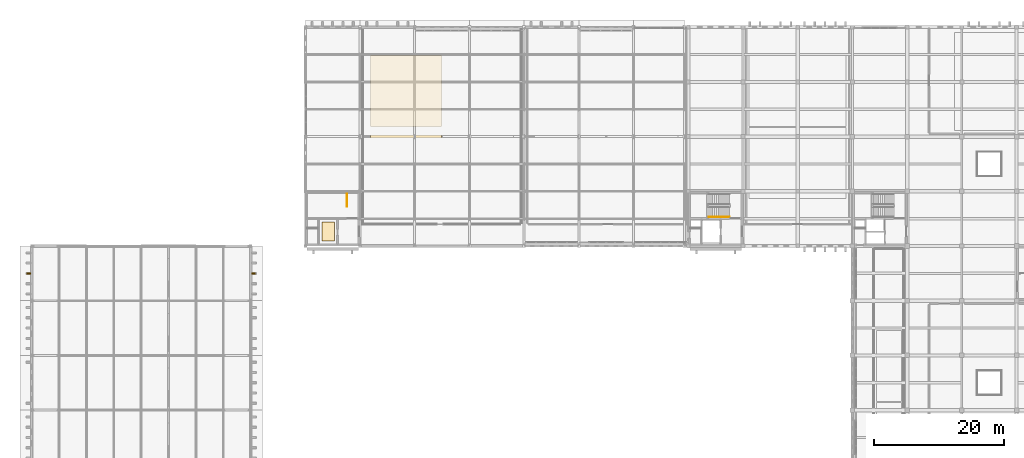
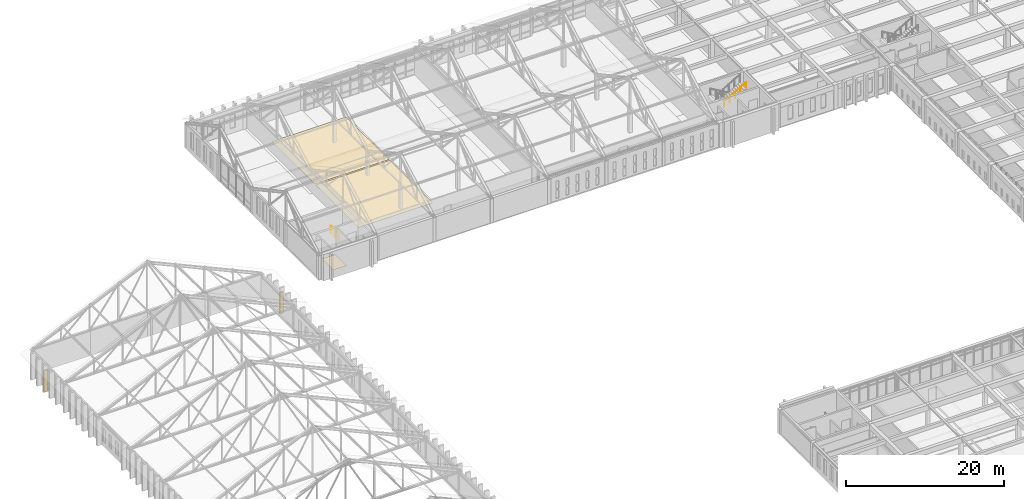
# One storey, part 104 of 110: 3 coverings, 2 railings, 2 shading devices.
"""IFC4 building model written with IfcOpenShell, lengths in metres."""

from ifc_helpers import new_model, si_unit, direction, frame, origin, origin_2d, place, context, subcontext, project, spatial, rectangle, circle, extrude, material, layer, layer_set, type_object, element, save


model = new_model("IFC4")

# Units and contexts
model_context = context("Model", 3, precision=1e-05, world=origin(), true_north=direction((0.0, 1.0)))
body_context = subcontext(model_context, "Body", "Model", "MODEL_VIEW")
ifc_project = project(units=[si_unit("LENGTHUNIT", "METRE"), si_unit("AREAUNIT", "SQUARE_METRE"), si_unit("VOLUMEUNIT", "CUBIC_METRE"), si_unit("PLANEANGLEUNIT", "RADIAN"), si_unit("MASSUNIT", "GRAM", prefix="KILO")], contexts=[model_context])

# Site, building, storey
site_placement = place(None, origin())
site = spatial("IfcSite", under=ifc_project, at=site_placement, CompositionType="ELEMENT")
building_placement = place(site_placement, origin())
building = spatial("IfcBuilding", under=site, at=building_placement, Name="Kveldsbrygga Polytechnic", CompositionType="ELEMENT")
storey_placement = place(building_placement, frame((0.0, 0.0, 9.860107421875)))
storey = spatial("IfcBuildingStorey", under=building, at=storey_placement, Name="L02", CompositionType="ELEMENT", Elevation=9.860107421875)

# Coverings
ifc_material_1 = material(Name="Heavy-duty quartz-filled epoxy resin flooring")
ifc_layer_1 = layer(ifc_material_1, 0.014892578125)
ifc_layer_set_1 = layer_set([ifc_layer_1], Name="Heavy-duty quartz-filled epoxy resin flooring")
covering_type_1 = type_object("IfcCoveringType", Name="COV-FLR-EPX15", PredefinedType="FLOORING", material=ifc_layer_set_1)
covering_placement = place(storey_placement, frame((45.5, 86.199951171875, 0.0), z_axis=(0.0, 0.0, 1.0), x_axis=(1.0, 0.0, 0.0)))
element("IfcCovering", 1, at=covering_placement, inside=storey, type_object=covering_type_1, Name="Room Flooring SP-C7-L02-STORE", PredefinedType="FLOORING", context=body_context, shape_type="SweptSolid", body=[
    extrude(rectangle(XDim=1.89990234375, YDim=2.89990234375, at=origin_2d()), origin(), (0.0, 0.0, 1.0), 0.014892578125),
])
ifc_material_2 = material(Name="Acoustic oak timber flooring", Category="wood")
ifc_layer_2 = layer(ifc_material_2, 0.02197265625)
ifc_layer_set_2 = layer_set([ifc_layer_2], Name="Acoustic oak timber flooring")
covering_type_2 = type_object("IfcCoveringType", Name="COV-FLR-OAK22", PredefinedType="FLOORING", material=ifc_layer_set_2)
for number, where, z_axis, x_axis, name in (
    (2, (57.449951171875, 96.72509765625, 0.0), (0.0, 0.0, 1.0), (1.0, 0.0, 0.0), "Room Flooring SP-L02-SEM21-WS"),
    (3, (57.449951171875, 107.824951171875, 0.0), (0.0, 0.0, 1.0), (1.0, 0.0, 0.0), "Room Flooring SP-L02-SEM21-WN"),
):
    element("IfcCovering", number, at=place(storey_placement, frame(where, z_axis=z_axis, x_axis=x_axis)), inside=storey, type_object=covering_type_2, Name=name, PredefinedType="FLOORING", context=body_context, shape_type="SweptSolid", body=[
        extrude(rectangle(XDim=10.89990234375, YDim=10.89990234375, at=origin_2d()), origin(), (0.0, 0.0, 1.0), 0.02197265625),
    ])

# Shading devices
ifc_material_3 = material(Name="Fired clay brick masonry M10", Category="masonry")
shading_device_type = type_object("IfcShadingDeviceType", Name="FIN-BRICK-550", PredefinedType="JALOUSIE", material=ifc_material_3)
for number, where, z_axis, x_axis, name in (
    (4, (-0.4609375, 79.800048828125, -0.000244140625), (0.0, 0.0, 1.0), (0.0, 1.0, 0.0), "Brick Shading Fin L02-Y-00-09"),
    (5, (34.06103515625, 79.800048828125, -0.000244140625), (0.0, 0.0, 1.0), (0.0, 1.0, 0.0), "Brick Shading Fin L02-Y-04-09"),
):
    element("IfcShadingDevice", number, at=place(storey_placement, frame(where, z_axis=z_axis, x_axis=x_axis)), inside=storey, type_object=shading_device_type, Name=name, PredefinedType="JALOUSIE", context=body_context, shape_type="SweptSolid", body=[
        extrude(rectangle(XDim=0.219970703125, YDim=0.550048828125, at=origin_2d()), origin(), (0.0, 0.0, 1.0), 3.330078125),
    ])

# Railings
ifc_material_4 = material(Name="Steel S355", Category="steel")
railing_type_1 = type_object("IfcRailingType", Name="RL-STAIR-GRD", PredefinedType="GUARDRAIL", material=ifc_material_4)
railing_1_placement = place(storey_placement, frame((48.39990234375, 92.0, 0.0)))
element("IfcRailing", 6, at=railing_1_placement, inside=storey, type_object=railing_type_1, Name="L02 ST-7 top well guard 1", PredefinedType="GUARDRAIL", context=body_context, shape_type="SweptSolid", body=[
    extrude(circle(Radius=0.02392578125, at=origin_2d()), frame((0.0, 0.0, 1.1259765625), z_axis=(0.0, -1.0, 0.0), x_axis=(1.0, 0.0, 0.0)), (0.0, 0.0, 1.0), 1.949951171875),
    extrude(circle(Radius=0.02099609375, at=origin_2d()), origin(), (0.0, 0.0, 1.0), 1.097900390625),
    extrude(circle(Radius=0.02099609375, at=origin_2d()), frame((0.0, -0.97509765625, 0.0)), (0.0, 0.0, 1.0), 1.097900390625),
    extrude(circle(Radius=0.02099609375, at=origin_2d()), frame((0.0, -1.949951171875, 0.0)), (0.0, 0.0, 1.0), 1.097900390625),
])
railing_type_2 = type_object("IfcRailingType", Name="RL-STAIR-HND", PredefinedType="HANDRAIL", material=ifc_material_4)
railing_2_placement = place(storey_placement, frame((103.9599609375, 88.449951171875, 2.2099609375)))
element("IfcRailing", 7, at=railing_2_placement, inside=storey, type_object=railing_type_2, Name="L02 ST-5 stair handrail 2", PredefinedType="HANDRAIL", context=body_context, shape_type="SweptSolid", body=[
    extrude(circle(Radius=0.02392578125, at=origin_2d()), frame((0.0, 0.0, 0.8759765625), z_axis=(0.86270889649, 0.0, 0.505700860111), x_axis=(0.0, 1.0, 0.0)), (0.0, 0.0, 1.0), 3.697509765625),
    extrude(circle(Radius=0.02099609375, at=origin_2d()), origin(), (0.0, 0.0, 1.0), 0.847900390625),
    extrude(circle(Radius=0.02099609375, at=origin_2d()), frame((0.79736328125, 0.0, 0.467529296875)), (0.0, 0.0, 1.0), 0.847900390625),
    extrude(circle(Radius=0.02099609375, at=origin_2d()), frame((1.594970703125, 0.0, 0.93505859375)), (0.0, 0.0, 1.0), 0.847900390625),
    extrude(circle(Radius=0.02099609375, at=origin_2d()), frame((2.392578125, 0.0, 1.40234375)), (0.0, 0.0, 1.0), 0.847900390625),
    extrude(circle(Radius=0.02099609375, at=origin_2d()), frame((3.18994140625, 0.0, 1.869873046875)), (0.0, 0.0, 1.0), 0.847900390625),
])

save(model, "model.ifc")
